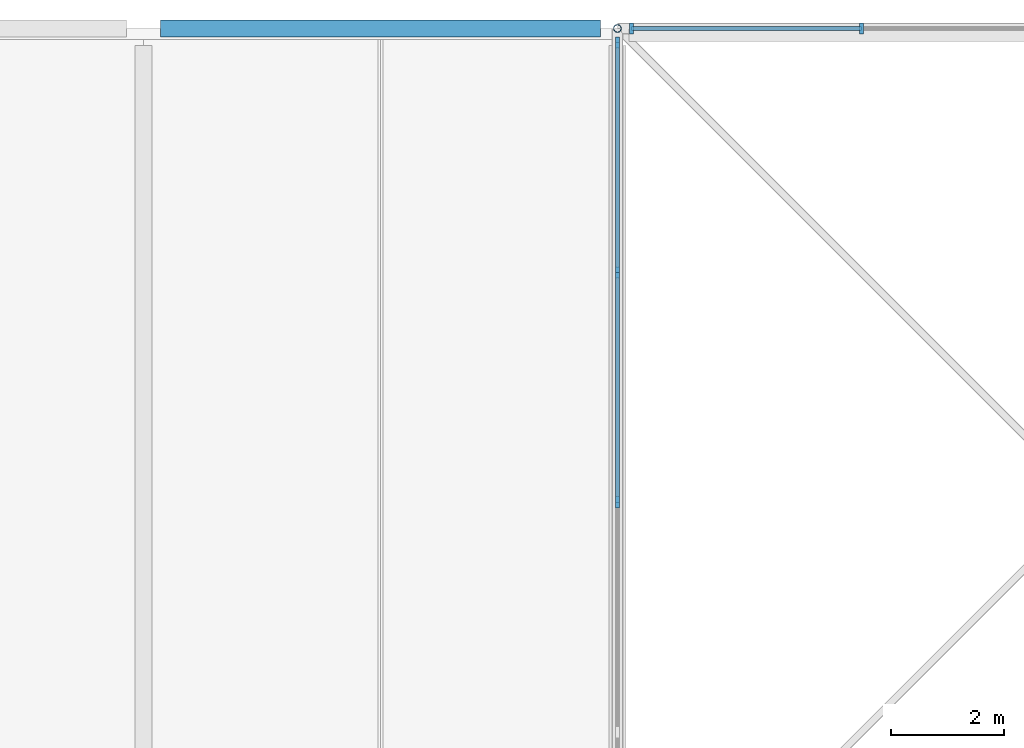
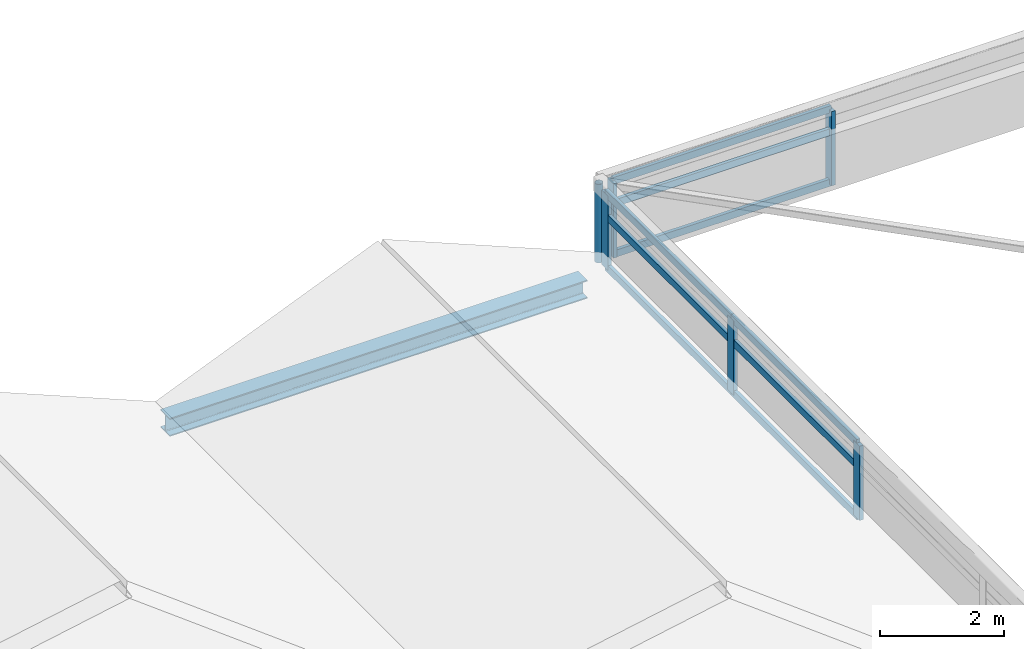
# One storey, part 6 of 14: 15 members, 1 beam, 2 elements without a shape of their own.
"""IFC4 building model written with IfcOpenShell, lengths in metres."""

from ifc_helpers import new_model, si_unit, direction, frame, origin, origin_2d, place, context, subcontext, project, spatial, rectangle, hollow_circle, i_section, extrude, material, layer, layer_set, material_profile, profile_set, type_object, element, aggregate, save


model = new_model("IFC4")

# Units and contexts
model_context = context("Model", 3, precision=1e-05, world=origin(), true_north=direction((0.0, 1.0)))
body_context = subcontext(model_context, "Body", "Model", "MODEL_VIEW")
ifc_project = project(units=[si_unit("LENGTHUNIT", "METRE"), si_unit("AREAUNIT", "SQUARE_METRE"), si_unit("VOLUMEUNIT", "CUBIC_METRE"), si_unit("PLANEANGLEUNIT", "RADIAN"), si_unit("MASSUNIT", "GRAM", prefix="KILO")], contexts=[model_context])

# Site, building, storey
site_placement = place(None, origin())
site = spatial("IfcSite", under=ifc_project, at=site_placement, CompositionType="ELEMENT")
building_placement = place(site_placement, origin())
building = spatial("IfcBuilding", under=site, at=building_placement, Name="Qawsi Khor Wholesale Market", CompositionType="ELEMENT")
storey_placement = place(building_placement, frame((0.0, 0.0, 20.699951171875)))
storey = spatial("IfcBuildingStorey", under=building, at=storey_placement, Name="RF", CompositionType="ELEMENT", Elevation=20.699951171875)

# Curtain wall, members
ifc_material_1 = material(Name="Aluminium Anodised Bronze", Category="aluminium")
ifc_layer = layer(ifc_material_1, 0.179931640625, Name="Aluminium Anodised Bronze")
ifc_layer_set = layer_set([ifc_layer], Name="Aluminium Anodised Bronze")
curtain_wall_type = type_object("IfcCurtainWallType", Name="Atrium Full-Height Curtain Wall CW-02", PredefinedType="NOTDEFINED", material=ifc_layer_set)
curtain_wall_1_placement = place(storey_placement, origin())
curtain_wall_1 = element("IfcCurtainWall", 1, at=curtain_wall_1_placement, inside=storey, type_object=curtain_wall_type, Name="Curtain wall CW-CW-02-RF-047", PredefinedType="NOTDEFINED")
ifc_material_profile_1 = material_profile(ifc_material_1, rectangle(XDim=0.070068359375, YDim=0.199951171875, at=origin_2d()), Name="ALU MULLION 70x200")
ifc_profile_set_1 = profile_set([ifc_material_profile_1], Name="Aluminium Anodised Bronze")
member_type_1 = type_object("IfcMemberType", Name="Curtain Wall Mullion CW-02 ALU MULLION 70x200", PredefinedType="MULLION", material=ifc_profile_set_1)
member_1_placement = place(storey_placement, frame((50.64990234375, 42.0, -0.02001953125), z_axis=(0.0, 0.0, 1.0), x_axis=(1.0, 0.0, 0.0)))
member_1 = element("IfcMember", 2, at=member_1_placement, type_object=member_type_1, Name="Mullion CW-CW-02-RF-047-M00", PredefinedType="MULLION", context=body_context, shape_type="SweptSolid", body=[
    extrude(rectangle(XDim=0.070068359375, YDim=0.199951171875, at=origin_2d()), origin(), (0.0, 0.0, 1.0), 1.469970703125),
])
member_2_placement = place(storey_placement, frame((54.72509765625, 42.0, -0.02001953125), z_axis=(0.0, 0.0, 1.0), x_axis=(1.0, 0.0, 0.0)))
member_2 = element("IfcMember", 3, at=member_2_placement, type_object=member_type_1, Name="Mullion CW-CW-02-RF-047-M01", PredefinedType="MULLION", context=body_context, shape_type="SweptSolid", body=[
    extrude(rectangle(XDim=0.070068359375, YDim=0.199951171875, at=origin_2d()), origin(), (0.0, 0.0, 1.0), 1.469970703125),
])

curtain_wall_2_placement = place(storey_placement, origin())
curtain_wall_2 = element("IfcCurtainWall", 4, at=curtain_wall_2_placement, inside=storey, type_object=curtain_wall_type, Name="Curtain wall CW-CW-02-RF-048", PredefinedType="NOTDEFINED")
member_3_placement = place(storey_placement, frame((50.39990234375, 33.60009765625, -0.02001953125), z_axis=(0.0, 0.0, 1.0), x_axis=(1.0, 0.0, 0.0)))
member_3 = element("IfcMember", 5, at=member_3_placement, type_object=member_type_1, Name="Mullion CW-CW-02-RF-048-M02", PredefinedType="MULLION", context=body_context, shape_type="SweptSolid", body=[
    extrude(rectangle(XDim=0.070068359375, YDim=0.199951171875, at=origin_2d()), origin(), (0.0, 0.0, 1.0), 1.469970703125),
])
member_4_placement = place(storey_placement, frame((50.39990234375, 37.675048828125, -0.02001953125), z_axis=(0.0, 0.0, 1.0), x_axis=(1.0, 0.0, 0.0)))
member_4 = element("IfcMember", 6, at=member_4_placement, type_object=member_type_1, Name="Mullion CW-CW-02-RF-048-M03", PredefinedType="MULLION", context=body_context, shape_type="SweptSolid", body=[
    extrude(rectangle(XDim=0.070068359375, YDim=0.199951171875, at=origin_2d()), origin(), (0.0, 0.0, 1.0), 1.469970703125),
])
member_5_placement = place(storey_placement, frame((50.39990234375, 41.75, -0.02001953125), z_axis=(0.0, 0.0, 1.0), x_axis=(1.0, 0.0, 0.0)))
member_5 = element("IfcMember", 7, at=member_5_placement, type_object=member_type_1, Name="Mullion CW-CW-02-RF-048-M04", PredefinedType="MULLION", context=body_context, shape_type="SweptSolid", body=[
    extrude(rectangle(XDim=0.070068359375, YDim=0.199951171875, at=origin_2d()), origin(), (0.0, 0.0, 1.0), 1.469970703125),
])

# Member
ifc_material_profile_2 = material_profile(ifc_material_1, rectangle(XDim=0.06494140625, YDim=0.139892578125, at=origin_2d()), Name="ALU TRANSOM 65x140")
ifc_profile_set_2 = profile_set([ifc_material_profile_2], Name="Aluminium Anodised Bronze")
member_type_2 = type_object("IfcMemberType", Name="Curtain Wall Transom CW-02 ALU TRANSOM 65x140", PredefinedType="USERDEFINED", material=ifc_profile_set_2)
member_6_placement = place(storey_placement, frame((50.64990234375, 42.0, 0.0), z_axis=(1.0, 0.0, 0.0), x_axis=(0.0, 1.0, 0.0)))
member_6 = element("IfcMember", 8, at=member_6_placement, type_object=member_type_2, Name="Transom CW-CW-02-RF-047-T0_00", ObjectType="TRANSOM", PredefinedType="USERDEFINED", context=body_context, shape_type="SweptSolid", body=[
    extrude(rectangle(XDim=0.06494140625, YDim=0.139892578125, at=origin_2d()), origin(), (0.0, 0.0, 1.0), 4.0751953125),
])

member_7_placement = place(storey_placement, frame((50.64990234375, 42.0, 1.0), z_axis=(1.0, 0.0, 0.0), x_axis=(0.0, 1.0, 0.0)))
member_7 = element("IfcMember", 9, at=member_7_placement, type_object=member_type_2, Name="Transom CW-CW-02-RF-047-T1_00", ObjectType="TRANSOM", PredefinedType="USERDEFINED", context=body_context, shape_type="SweptSolid", body=[
    extrude(rectangle(XDim=0.06494140625, YDim=0.139892578125, at=origin_2d()), origin(), (0.0, 0.0, 1.0), 4.0751953125),
])

member_8_placement = place(storey_placement, frame((50.64990234375, 42.0, 1.449951171875), z_axis=(1.0, 0.0, 0.0), x_axis=(0.0, 1.0, 0.0)))
member_8 = element("IfcMember", 10, at=member_8_placement, type_object=member_type_2, Name="Transom CW-CW-02-RF-047-T2_00", ObjectType="TRANSOM", PredefinedType="USERDEFINED", context=body_context, shape_type="SweptSolid", body=[
    extrude(rectangle(XDim=0.06494140625, YDim=0.139892578125, at=origin_2d()), origin(), (0.0, 0.0, 1.0), 4.0751953125),
])

aggregate(curtain_wall_1, [member_1, member_2, member_6, member_7, member_8])

member_9_placement = place(storey_placement, frame((50.39990234375, 33.60009765625, 0.0), z_axis=(0.0, 1.0, 0.0), x_axis=(-1.0, 0.0, 0.0)))
member_9 = element("IfcMember", 11, at=member_9_placement, type_object=member_type_2, Name="Transom CW-CW-02-RF-048-T0_02", ObjectType="TRANSOM", PredefinedType="USERDEFINED", context=body_context, shape_type="SweptSolid", body=[
    extrude(rectangle(XDim=0.06494140625, YDim=0.139892578125, at=origin_2d()), origin(), (0.0, 0.0, 1.0), 4.074951171875),
])

member_10_placement = place(storey_placement, frame((50.39990234375, 37.675048828125, 0.0), z_axis=(0.0, 1.0, 0.0), x_axis=(-1.0, 0.0, 0.0)))
member_10 = element("IfcMember", 12, at=member_10_placement, type_object=member_type_2, Name="Transom CW-CW-02-RF-048-T0_03", ObjectType="TRANSOM", PredefinedType="USERDEFINED", context=body_context, shape_type="SweptSolid", body=[
    extrude(rectangle(XDim=0.06494140625, YDim=0.139892578125, at=origin_2d()), origin(), (0.0, 0.0, 1.0), 4.074951171875),
])

member_11_placement = place(storey_placement, frame((50.39990234375, 33.60009765625, 1.0), z_axis=(0.0, 1.0, 0.0), x_axis=(-1.0, 0.0, 0.0)))
member_11 = element("IfcMember", 13, at=member_11_placement, type_object=member_type_2, Name="Transom CW-CW-02-RF-048-T1_02", ObjectType="TRANSOM", PredefinedType="USERDEFINED", context=body_context, shape_type="SweptSolid", body=[
    extrude(rectangle(XDim=0.06494140625, YDim=0.139892578125, at=origin_2d()), origin(), (0.0, 0.0, 1.0), 4.074951171875),
])

member_12_placement = place(storey_placement, frame((50.39990234375, 37.675048828125, 1.0), z_axis=(0.0, 1.0, 0.0), x_axis=(-1.0, 0.0, 0.0)))
member_12 = element("IfcMember", 14, at=member_12_placement, type_object=member_type_2, Name="Transom CW-CW-02-RF-048-T1_03", ObjectType="TRANSOM", PredefinedType="USERDEFINED", context=body_context, shape_type="SweptSolid", body=[
    extrude(rectangle(XDim=0.06494140625, YDim=0.139892578125, at=origin_2d()), origin(), (0.0, 0.0, 1.0), 4.074951171875),
])

member_13_placement = place(storey_placement, frame((50.39990234375, 33.60009765625, 1.449951171875), z_axis=(0.0, 1.0, 0.0), x_axis=(-1.0, 0.0, 0.0)))
member_13 = element("IfcMember", 15, at=member_13_placement, type_object=member_type_2, Name="Transom CW-CW-02-RF-048-T2_02", ObjectType="TRANSOM", PredefinedType="USERDEFINED", context=body_context, shape_type="SweptSolid", body=[
    extrude(rectangle(XDim=0.06494140625, YDim=0.139892578125, at=origin_2d()), origin(), (0.0, 0.0, 1.0), 4.074951171875),
])

member_14_placement = place(storey_placement, frame((50.39990234375, 37.675048828125, 1.449951171875), z_axis=(0.0, 1.0, 0.0), x_axis=(-1.0, 0.0, 0.0)))
member_14 = element("IfcMember", 16, at=member_14_placement, type_object=member_type_2, Name="Transom CW-CW-02-RF-048-T2_03", ObjectType="TRANSOM", PredefinedType="USERDEFINED", context=body_context, shape_type="SweptSolid", body=[
    extrude(rectangle(XDim=0.06494140625, YDim=0.139892578125, at=origin_2d()), origin(), (0.0, 0.0, 1.0), 4.074951171875),
])

aggregate(curtain_wall_2, [member_3, member_4, member_5, member_9, member_10, member_11, member_12, member_13, member_14])

# Beam
ifc_material_2 = material(Name="Steel S355", Category="steel")
ifc_material_profile_3 = material_profile(ifc_material_2, i_section(OverallWidth=0.300048828125, OverallDepth=0.360107421875, WebThickness=0.012451171875, FlangeThickness=0.0224609375, FilletRadius=0.027099609375, at=origin_2d()), Name="HEB 360")
ifc_profile_set_3 = profile_set([ifc_material_profile_3], Name="Steel S355")
beam_type = type_object("IfcBeamType", Name="Heavy Edge Girder HEB 360", PredefinedType="BEAM", material=ifc_profile_set_3)
beam_placement = place(storey_placement, frame((42.300048828125, 42.0, -0.419921875), z_axis=(1.0, 0.0, 0.0), x_axis=(0.0, 1.0, 0.0)))
element("IfcBeam", 17, at=beam_placement, inside=storey, type_object=beam_type, Name="BM-X-RF-05_+05", PredefinedType="BEAM", context=body_context, shape_type="SweptSolid", body=[
    extrude(i_section(OverallWidth=0.300048828125, OverallDepth=0.360107421875, WebThickness=0.012451171875, FlangeThickness=0.0224609375, FilletRadius=0.027099609375, at=origin_2d()), origin(), (0.0, 0.0, 1.0), 7.800048828125),
])

# Member
ifc_material_profile_4 = material_profile(ifc_material_2, hollow_circle(Radius=0.06982421875, WallThickness=0.00634765625, at=origin_2d()), Name="CHS 139.7x6.3")
ifc_profile_set_4 = profile_set([ifc_material_profile_4], Name="Steel S355")
member_type_3 = type_object("IfcMemberType", Name="Lantern Corner Strut CHS 139.7x6.3", PredefinedType="STRUT", material=ifc_profile_set_4)
member_15_placement = place(storey_placement, frame((50.39990234375, 42.0, -0.050048828125), z_axis=(0.0, 0.0, 1.0), x_axis=(1.0, 0.0, 0.0)))
element("IfcMember", 18, at=member_15_placement, inside=storey, type_object=member_type_3, Name="Atrium lantern corner post WAT-4", PredefinedType="STRUT", context=body_context, shape_type="SweptSolid", body=[
    extrude(hollow_circle(Radius=0.06982421875, WallThickness=0.00634765625, at=origin_2d()), origin(), (0.0, 0.0, 1.0), 1.550048828125),
])

save(model, "model.ifc")
